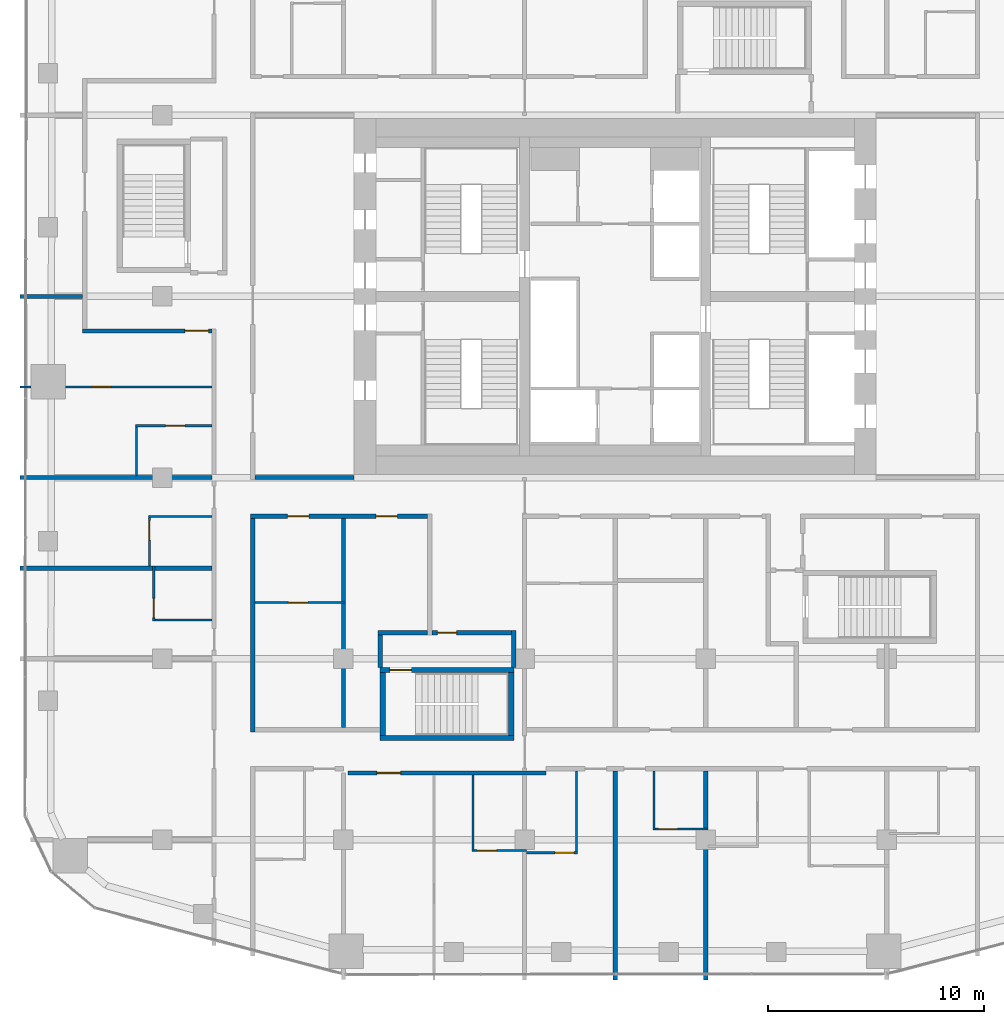
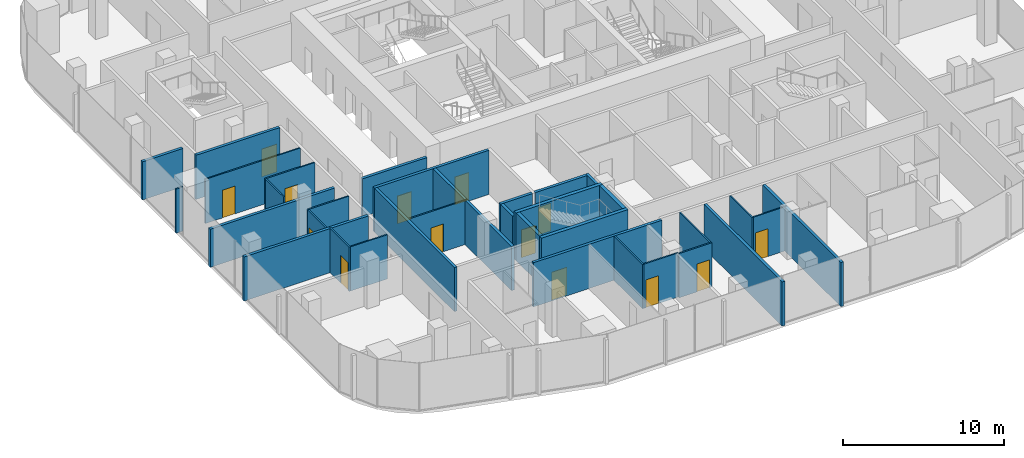
# One storey, part 14 of 23: 34 walls, 14 doors, 14 openings.
"""IFC4 building model written with IfcOpenShell, lengths in metres."""

import ifcopenshell
import ifcopenshell.guid

model = None  # the IFC model being written
_history = None  # IfcOwnerHistory: only IFC2X3 demands one
_inside = {}  # id of a spatial element -> (the spatial element, [elements in it])
_under = {}  # id of a project, library or spatial element -> (it, [spatial elements below it])
_declared = {}  # id of a project -> (the project, [libraries it declares])
_typed = {}  # id of a type object -> (the type object, [elements of that type])
_made_of = {}  # id of a material, layer set ... -> (it, [elements and type objects made of it])


def new_model(schema):
    """Start an empty IFC model of exactly this schema.

    Asked for "IFC4X3", IfcOpenShell would pick the latest addendum, in which some entities
    have other attributes; the version numbers below select the first issue.
    IFC2X3 requires an IfcOwnerHistory on every rooted entity: one is made here for all.
    """
    global model, _history
    if schema == "IFC4X3":
        model = ifcopenshell.file(schema_version=(4, 3, 0, 0))
    else:
        model = ifcopenshell.file(schema=schema)
    _inside.clear()
    _under.clear()
    _declared.clear()
    _typed.clear()
    _made_of.clear()
    _history = None
    if model.schema == "IFC2X3":
        org = make("IfcOrganization", Name="unknown")
        user = make(
            "IfcPersonAndOrganization",
            ThePerson=make("IfcPerson", FamilyName="unknown"),
            TheOrganization=org,
        )
        app = make(
            "IfcApplication",
            ApplicationDeveloper=org,
            Version="unknown",
            ApplicationFullName="unknown",
            ApplicationIdentifier="unknown",
        )
        _history = make(
            "IfcOwnerHistory",
            OwningUser=user,
            OwningApplication=app,
            ChangeAction="ADDED",
            CreationDate=0,
        )
    return model


def make(cls, **values):
    """One entity of the class cls with the attributes given. An attribute that is None is left unset."""
    return model.create_entity(
        cls, **{name: value for name, value in values.items() if value is not None}
    )


def rooted(cls, **values):
    """An entity with a GlobalId (a new one), such as an element, a storey or a relation."""
    return make(cls, GlobalId=ifcopenshell.guid.new(), OwnerHistory=_history, **values)


def si_unit(unit_type, name, prefix=None):
    """IfcSIUnit, for example si_unit("LENGTHUNIT", "METRE", prefix="MILLI")."""
    return make("IfcSIUnit", UnitType=unit_type, Prefix=prefix, Name=name)


def assignment(units):
    """IfcUnitAssignment: the units of a project."""
    return None if units is None else make("IfcUnitAssignment", Units=units)


def point(xyz):
    """IfcCartesianPoint."""
    return None if xyz is None else make("IfcCartesianPoint", Coordinates=xyz)


def direction(xyz):
    """IfcDirection."""
    return None if xyz is None else make("IfcDirection", DirectionRatios=xyz)


def frame(location, z_axis=None, x_axis=None):
    """IfcAxis2Placement3D, a coordinate frame: its origin and axes. An axis left out is left unset."""
    return make(
        "IfcAxis2Placement3D",
        Location=point(location),
        Axis=direction(z_axis),
        RefDirection=direction(x_axis),
    )


def frame_2d(location, x_axis=None):
    """IfcAxis2Placement2D, a coordinate frame in the plane: its origin and x axis."""
    return make(
        "IfcAxis2Placement2D", Location=point(location), RefDirection=direction(x_axis)
    )


def origin():
    """The frame at (0, 0, 0) with its axes left unset."""
    return frame((0.0, 0.0, 0.0))


def place(relative_to, where):
    """IfcLocalPlacement: puts the frame where relative to a parent placement (None: the world)."""
    return make(
        "IfcLocalPlacement", PlacementRelTo=relative_to, RelativePlacement=where
    )


def context(
    kind, dimensions, precision=None, world=None, true_north=None, identifier=None
):
    """IfcGeometricRepresentationContext, for example the 3D "Model" context."""
    return make(
        "IfcGeometricRepresentationContext",
        ContextIdentifier=identifier,
        ContextType=kind,
        CoordinateSpaceDimension=dimensions,
        Precision=precision,
        WorldCoordinateSystem=world,
        TrueNorth=true_north,
    )


def subcontext(parent, identifier, kind, view, scale=None):
    """IfcGeometricRepresentationSubContext, for example "Body" below "Model"."""
    return make(
        "IfcGeometricRepresentationSubContext",
        ContextIdentifier=identifier,
        ContextType=kind,
        ParentContext=parent,
        TargetScale=scale,
        TargetView=view,
    )


def project(units=None, contexts=None):
    """IfcProject with its units and contexts."""
    return rooted(
        "IfcProject",
        Name="project",
        RepresentationContexts=contexts,
        UnitsInContext=assignment(units),
    )


def spatial(cls, under=None, at=None, **own):
    """A site, building, storey or space (cls), placed at a placement, below another one or the project."""
    s = rooted(cls, ObjectPlacement=at, **own)
    if under is not None:
        _under.setdefault(under.id(), (under, []))[1].append(s)
    return s


def profile(cls, at=None, kind="AREA", **sizes):
    """A parametric profile (cls). Its sizes go by their IFC names, for example OverallWidth=200.0."""
    return make(cls, ProfileType=kind, Position=at, **sizes)


def rectangle(**sizes):
    """IfcRectangleProfileDef."""
    return profile("IfcRectangleProfileDef", **sizes)


def extrude(swept, where, along, depth):
    """IfcExtrudedAreaSolid: the profile swept, set in the frame where, extruded along a direction by depth."""
    return make(
        "IfcExtrudedAreaSolid",
        SweptArea=swept,
        Position=where,
        ExtrudedDirection=direction(along),
        Depth=depth,
    )


def shape(context_of_items, identifier, shape_type, items):
    """IfcShapeRepresentation: the items that make up one representation, for example the "Body"."""
    return make(
        "IfcShapeRepresentation",
        ContextOfItems=context_of_items,
        RepresentationIdentifier=identifier,
        RepresentationType=shape_type,
        Items=items,
    )


def material(Name=None, Category=None):
    """IfcMaterial."""
    return make("IfcMaterial", Name=Name, Category=Category)


def layer(
    of_material, thickness, ventilated=None, Name=None, Category=None, Priority=None
):
    """IfcMaterialLayer: one layer of a wall or slab, of a material (None: an air gap)."""
    return make(
        "IfcMaterialLayer",
        Material=of_material,
        LayerThickness=thickness,
        IsVentilated=ventilated,
        Name=Name,
        Category=Category,
        Priority=Priority,
    )


def layer_set(layers, Name=None):
    """IfcMaterialLayerSet."""
    return make("IfcMaterialLayerSet", MaterialLayers=layers, LayerSetName=Name)


def made_of(thing, what):
    """Note that an element or type object is made of a material, layer set ...; save() writes the relation."""
    if what is not None:
        _made_of.setdefault(what.id(), (what, []))[1].append(thing)
    return thing


def type_object(cls, material=None, **own):
    """A type object (cls), such as IfcWallType, which elements share."""
    return made_of(rooted(cls, **own), material)


def element(
    cls,
    number,
    at=None,
    inside=None,
    cuts=None,
    type_object=None,
    material=None,
    context=None,
    identifier="Body",
    shape_type=None,
    held_by="IfcProductDefinitionShape",
    body=None,
    shapes=None,
    **own,
):
    """One element of the class cls, such as IfcWall. Its Tag is "e" and its number.

    at: its placement. inside: the storey or other place that contains it. cuts: it is an
    opening in that element (IfcRelVoidsElement). A single representation is given by context,
    identifier, shape_type and body (its items); several are given by shapes. held_by: the class
    of the entity that holds the representations. save() writes the other relations.
    """
    e = rooted(cls, Tag="e%d" % number, ObjectPlacement=at, **own)
    if body is not None:
        shapes = [shape(context, identifier, shape_type, body)]
    if shapes is not None:
        e.Representation = make(held_by, Representations=shapes)
    if inside is not None:
        _inside.setdefault(inside.id(), (inside, []))[1].append(e)
    if cuts is not None:
        rooted(
            "IfcRelVoidsElement", RelatingBuildingElement=cuts, RelatedOpeningElement=e
        )
    if type_object is not None:
        _typed.setdefault(type_object.id(), (type_object, []))[1].append(e)
    return made_of(e, material)


def fill(opening, filler):
    """IfcRelFillsElement: the door or window that sits in an opening."""
    return rooted(
        "IfcRelFillsElement",
        RelatingOpeningElement=opening,
        RelatedBuildingElement=filler,
    )


def aggregate(whole, parts):
    """IfcRelAggregates: a whole, such as a stair, and the parts it consists of."""
    return rooted("IfcRelAggregates", RelatingObject=whole, RelatedObjects=parts)


def save(model, path):
    """Write the relations noted so far, then the file.

    IfcRelAggregates (storeys below a building ...), IfcRelContainedInSpatialStructure (elements
    in a storey), IfcRelDefinesByType, IfcRelAssociatesMaterial and IfcRelDeclares: one each for
    every whole, place, type object, material and project.
    """
    for whole, parts in _under.values():
        aggregate(whole, parts)
    for where, things in _inside.values():
        rooted(
            "IfcRelContainedInSpatialStructure",
            RelatedElements=things,
            RelatingStructure=where,
        )
    for kind, things in _typed.values():
        rooted("IfcRelDefinesByType", RelatedObjects=things, RelatingType=kind)
    for what, things in _made_of.values():
        rooted("IfcRelAssociatesMaterial", RelatedObjects=things, RelatingMaterial=what)
    for by, libraries in _declared.values():
        rooted("IfcRelDeclares", RelatingContext=by, RelatedDefinitions=libraries)
    model.write(path)


model = new_model("IFC4")

# Units and contexts
model_context = context("Model", 3, precision=1e-05, world=origin(), true_north=direction((0.0, 1.0)))
body_context = subcontext(model_context, "Body", "Model", "MODEL_VIEW")
ifc_project = project(units=[si_unit("LENGTHUNIT", "METRE"), si_unit("AREAUNIT", "SQUARE_METRE"), si_unit("VOLUMEUNIT", "CUBIC_METRE"), si_unit("PLANEANGLEUNIT", "RADIAN"), si_unit("MASSUNIT", "GRAM", prefix="KILO")], contexts=[model_context])

# Site, building, storey
site_placement = place(None, origin())
site = spatial("IfcSite", under=ifc_project, at=site_placement, CompositionType="ELEMENT")
building_placement = place(site_placement, origin())
building = spatial("IfcBuilding", under=site, at=building_placement, Name="Marenta Gate Hotel Tower", CompositionType="ELEMENT")
storey_placement = place(building_placement, frame((0.0, 0.0, 162.5)))
storey = spatial("IfcBuildingStorey", under=building, at=storey_placement, Name="L38", CompositionType="ELEMENT", Elevation=162.5)

# Walls
ifc_material_1 = material(Name="Concrete blockwork", Category="masonry")
ifc_layer_1 = layer(ifc_material_1, 0.199951171875)
ifc_layer_set_1 = layer_set([ifc_layer_1], Name="Concrete blockwork")
wall_type_1 = type_object("IfcWallType", Name="Core boundary wall 200 REI 180", PredefinedType="PARTITIONING", material=ifc_layer_set_1)
wall_1_placement = place(storey_placement, frame((-16.699951171875, 0.0, 0.0), z_axis=(0.0, 0.0, 1.0), x_axis=(1.0, 0.0, 0.0)))
element("IfcWall", 1, at=wall_1_placement, inside=storey, type_object=wall_type_1, Name="L38-CP-EW-WS", PredefinedType="PARTITIONING", context=body_context, shape_type="SweptSolid", body=[
    extrude(rectangle(XDim=4.599853515625, YDim=0.199951171875, at=frame_2d((2.2998046875, 0.0))), origin(), (0.0, 0.0, 1.0), 2.889892578125),
])
ifc_material_2 = material(Name="Concrete C40", Category="concrete")
ifc_layer_2 = layer(ifc_material_2, 0.25)
ifc_layer_set_2 = layer_set([ifc_layer_2], Name="Concrete C40")
wall_type_2 = type_object("IfcWallType", Name="Remote stair enclosure wall 250 REI 180", PredefinedType="SHEAR", material=ifc_layer_set_2)
wall_2_placement = place(storey_placement, frame((-10.89990234375, -12.074951171875, 0.10009765625), z_axis=(0.0, 0.0, 1.0), x_axis=(1.0, 0.0, 0.0)))
element("IfcWall", 2, at=wall_2_placement, inside=storey, type_object=wall_type_2, Name="L38-RS-Z2-1-W1", PredefinedType="SHEAR", context=body_context, shape_type="SweptSolid", body=[
    extrude(rectangle(XDim=6.199951171875, YDim=0.25, at=frame_2d((3.10009765625, 0.0))), origin(), (0.0, 0.0, 1.0), 3.599853515625),
])

# Wall, opening, door
wall_3_placement = place(storey_placement, frame((-10.89990234375, -8.925048828125, 0.10009765625), z_axis=(0.0, 0.0, 1.0), x_axis=(1.0, 0.0, 0.0)))
wall_3 = element("IfcWall", 3, at=wall_3_placement, inside=storey, type_object=wall_type_2, Name="L38-RS-Z2-1-W2", PredefinedType="SHEAR", context=body_context, shape_type="SweptSolid", body=[
    extrude(rectangle(XDim=6.199951171875, YDim=0.25, at=frame_2d((3.10009765625, 0.0))), origin(), (0.0, 0.0, 1.0), 3.599853515625),
])
opening_1_placement = place(wall_3_placement, frame((0.449951171875, 0.0, 0.0)))
opening_1 = element("IfcOpeningElement", 4, at=opening_1_placement, cuts=wall_3, Name="Opening VD", PredefinedType="OPENING", context=body_context, shape_type="SweptSolid", body=[
    extrude(rectangle(XDim=1.0, YDim=2.10009765625, at=frame_2d((0.5, 1.050048828125))), frame((0.0, 0.125, 0.0), z_axis=(0.0, -1.0, 0.0), x_axis=(1.0, 0.0, 0.0)), (0.0, 0.0, 1.0), 0.25),
])
ifc_material_3 = material(Name="Steel", Category="steel")
door_type_1 = type_object("IfcDoorType", Name="Stair vestibule door 1000x2100 FD60", OperationType="SINGLE_SWING_LEFT", PredefinedType="DOOR", material=ifc_material_3)
door_1_placement = place(opening_1_placement, origin())
door_1 = element("IfcDoor", 5, at=door_1_placement, inside=storey, type_object=door_type_1, Name="VD", OperationType="SINGLE_SWING_LEFT", OverallHeight=2.10009765625, OverallWidth=1.0, PredefinedType="DOOR", context=body_context, shape_type="SweptSolid", body=[
    extrude(rectangle(XDim=1.0, YDim=2.10009765625, at=frame_2d((0.5, 1.050048828125))), frame((0.0, 0.02490234375, 0.0), z_axis=(0.0, -1.0, 0.0), x_axis=(1.0, 0.0, 0.0)), (0.0, 0.0, 1.0), 0.050048828125),
])
fill(opening_1, door_1)

# Walls
for number, where, z_axis, x_axis, name in (
    (6, (-10.77490234375, -11.949951171875, 0.10009765625), (0.0, 0.0, 1.0), (0.0, 1.0, 0.0), "L38-RS-Z2-1-W3"),
    (7, (-4.824951171875, -11.949951171875, 0.10009765625), (0.0, 0.0, 1.0), (0.0, 1.0, 0.0), "L38-RS-Z2-1-W4"),
):
    element("IfcWall", number, at=place(storey_placement, frame(where, z_axis=z_axis, x_axis=x_axis)), inside=storey, type_object=wall_type_2, Name=name, PredefinedType="SHEAR", context=body_context, shape_type="SweptSolid", body=[
        extrude(rectangle(XDim=2.89990234375, YDim=0.25, at=frame_2d((1.449951171875, 0.0))), origin(), (0.0, 0.0, 1.0), 3.599853515625),
    ])

# Wall, opening, door
ifc_material_4 = material(Name="Gypsum board on steel stud", Category="steel")
ifc_layer_3 = layer(ifc_material_4, 0.199951171875)
ifc_layer_set_3 = layer_set([ifc_layer_3], Name="Gypsum board on steel stud")
wall_type_3 = type_object("IfcWallType", Name="Room corridor wall 200 EI 60", PredefinedType="PARTITIONING", material=ifc_layer_set_3)
wall_4_placement = place(storey_placement, frame((-12.39990234375, -13.699951171875, 0.0), z_axis=(0.0, 0.0, 1.0), x_axis=(1.0, 0.0, 0.0)))
wall_4 = element("IfcWall", 8, at=wall_4_placement, inside=storey, type_object=wall_type_3, Name="L38-PTN-W025", PredefinedType="PARTITIONING", context=body_context, shape_type="SweptSolid", body=[
    extrude(rectangle(XDim=9.199951171875, YDim=0.199951171875, at=frame_2d((4.60009765625, 0.0))), origin(), (0.0, 0.0, 1.0), 3.340087890625),
])
opening_2_placement = place(wall_4_placement, frame((1.35009765625, 0.0, 0.0)))
opening_2 = element("IfcOpeningElement", 9, at=opening_2_placement, cuts=wall_4, Name="Opening G14-32", PredefinedType="OPENING", context=body_context, shape_type="SweptSolid", body=[
    extrude(rectangle(XDim=1.10009765625, YDim=2.10009765625, at=frame_2d((0.550048828125, 1.050048828125))), frame((0.0, 0.10009765625, 0.0), z_axis=(0.0, -1.0, 0.0), x_axis=(1.0, 0.0, 0.0)), (0.0, 0.0, 1.0), 0.199951171875),
])
ifc_material_5 = material(Name="Timber door leaf", Category="wood")
door_type_2 = type_object("IfcDoorType", Name="Guest room door 1100x2100 EI 30", OperationType="NOTDEFINED", PredefinedType="DOOR", material=ifc_material_5)
door_2_placement = place(opening_2_placement, origin())
door_2 = element("IfcDoor", 10, at=door_2_placement, inside=storey, type_object=door_type_2, Name="L38-PD-D032", OperationType="SINGLE_SWING_RIGHT", OverallHeight=2.10009765625, OverallWidth=1.10009765625, PredefinedType="DOOR", context=body_context, shape_type="SweptSolid", body=[
    extrude(rectangle(XDim=1.10009765625, YDim=2.10009765625, at=frame_2d((0.550048828125, 1.050048828125))), frame((0.0, 0.02490234375, 0.0), z_axis=(0.0, -1.0, 0.0), x_axis=(1.0, 0.0, 0.0)), (0.0, 0.0, 1.0), 0.050048828125),
])
fill(opening_2, door_2)

# Wall, openings, doors
wall_5_placement = place(storey_placement, frame((-16.89990234375, -1.800048828125, 0.0), z_axis=(0.0, 0.0, 1.0), x_axis=(1.0, 0.0, 0.0)))
wall_5 = element("IfcWall", 11, at=wall_5_placement, inside=storey, type_object=wall_type_3, Name="L38-PTN-W061", PredefinedType="PARTITIONING", context=body_context, shape_type="SweptSolid", body=[
    extrude(rectangle(XDim=8.199951171875, YDim=0.199951171875, at=frame_2d((4.10009765625, 0.0))), origin(), (0.0, 0.0, 1.0), 3.340087890625),
])
opening_3_placement = place(wall_5_placement, frame((1.699951171875, 0.0, 0.0)))
opening_3 = element("IfcOpeningElement", 12, at=opening_3_placement, cuts=wall_5, Name="Opening G14-01", PredefinedType="OPENING", context=body_context, shape_type="SweptSolid", body=[
    extrude(rectangle(XDim=1.0, YDim=2.10009765625, at=frame_2d((0.5, 1.050048828125))), frame((0.0, 0.10009765625, 0.0), z_axis=(0.0, -1.0, 0.0), x_axis=(1.0, 0.0, 0.0)), (0.0, 0.0, 1.0), 0.199951171875),
])
opening_4_placement = place(wall_5_placement, frame((5.800048828125, 0.0, 0.0)))
opening_4 = element("IfcOpeningElement", 13, at=opening_4_placement, cuts=wall_5, Name="Opening G14-03", PredefinedType="OPENING", context=body_context, shape_type="SweptSolid", body=[
    extrude(rectangle(XDim=1.0, YDim=2.10009765625, at=frame_2d((0.5, 1.050048828125))), frame((0.0, 0.10009765625, 0.0), z_axis=(0.0, -1.0, 0.0), x_axis=(1.0, 0.0, 0.0)), (0.0, 0.0, 1.0), 0.199951171875),
])
ifc_material_6 = material(Name="Timber door leaf", Category="wood")
door_type_3 = type_object("IfcDoorType", Name="Room amenity door 1000x2100 EI 30", OperationType="NOTDEFINED", PredefinedType="DOOR", material=ifc_material_6)
door_3_placement = place(opening_4_placement, origin())
door_3 = element("IfcDoor", 14, at=door_3_placement, inside=storey, type_object=door_type_3, Name="L38-PD-D003", OperationType="SINGLE_SWING_LEFT", OverallHeight=2.10009765625, OverallWidth=1.0, PredefinedType="DOOR", context=body_context, shape_type="SweptSolid", body=[
    extrude(rectangle(XDim=1.0, YDim=2.10009765625, at=frame_2d((0.5, 1.050048828125))), frame((0.0, 0.02490234375, 0.0), z_axis=(0.0, -1.0, 0.0), x_axis=(1.0, 0.0, 0.0)), (0.0, 0.0, 1.0), 0.050048828125),
])
fill(opening_4, door_3)
ifc_material_7 = material(Name="Hollow steel door set", Category="steel")
door_type_4 = type_object("IfcDoorType", Name="Room service door 1000x2100 EI 30", OperationType="NOTDEFINED", PredefinedType="DOOR", material=ifc_material_7)
door_4_placement = place(opening_3_placement, origin())
door_4 = element("IfcDoor", 15, at=door_4_placement, inside=storey, type_object=door_type_4, Name="L38-PD-D001", OperationType="SINGLE_SWING_LEFT", OverallHeight=2.10009765625, OverallWidth=1.0, PredefinedType="DOOR", context=body_context, shape_type="SweptSolid", body=[
    extrude(rectangle(XDim=1.0, YDim=2.10009765625, at=frame_2d((0.5, 1.050048828125))), frame((0.0, 0.02490234375, 0.0), z_axis=(0.0, -1.0, 0.0), x_axis=(1.0, 0.0, 0.0)), (0.0, 0.0, 1.0), 0.050048828125),
])
fill(opening_3, door_4)

# Wall, opening, door
wall_6_placement = place(storey_placement, frame((-24.699951171875, 6.800048828125, 0.0), z_axis=(0.0, 0.0, 1.0), x_axis=(1.0, 0.0, 0.0)))
wall_6 = element("IfcWall", 16, at=wall_6_placement, inside=storey, type_object=wall_type_3, Name="L38-PTN-W079", PredefinedType="PARTITIONING", context=body_context, shape_type="SweptSolid", body=[
    extrude(rectangle(XDim=6.0, YDim=0.199951171875, at=frame_2d((3.0, 0.0))), origin(), (0.0, 0.0, 1.0), 3.340087890625),
])
opening_5_placement = place(wall_6_placement, frame((4.75, 0.0, 0.0)))
opening_5 = element("IfcOpeningElement", 17, at=opening_5_placement, cuts=wall_6, Name="Opening G14-50", PredefinedType="OPENING", context=body_context, shape_type="SweptSolid", body=[
    extrude(rectangle(XDim=1.10009765625, YDim=2.10009765625, at=frame_2d((0.550048828125, 1.050048828125))), frame((0.0, 0.10009765625, 0.0), z_axis=(0.0, -1.0, 0.0), x_axis=(1.0, 0.0, 0.0)), (0.0, 0.0, 1.0), 0.199951171875),
])
door_5_placement = place(opening_5_placement, origin())
door_5 = element("IfcDoor", 18, at=door_5_placement, inside=storey, type_object=door_type_2, Name="L38-PD-D050", OperationType="SINGLE_SWING_LEFT", OverallHeight=2.10009765625, OverallWidth=1.10009765625, PredefinedType="DOOR", context=body_context, shape_type="SweptSolid", body=[
    extrude(rectangle(XDim=1.10009765625, YDim=2.10009765625, at=frame_2d((0.550048828125, 1.050048828125))), frame((0.0, 0.02490234375, 0.0), z_axis=(0.0, -1.0, 0.0), x_axis=(1.0, 0.0, 0.0)), (0.0, 0.0, 1.0), 0.050048828125),
])
fill(opening_5, door_5)

# Wall
wall_7_placement = place(storey_placement, frame((-16.800048828125, -11.800048828125, 0.0), z_axis=(0.0, 0.0, 1.0), x_axis=(0.0, 1.0, 0.0)))
element("IfcWall", 19, at=wall_7_placement, inside=storey, type_object=wall_type_3, Name="L38-PTN-W097", PredefinedType="PARTITIONING", context=body_context, shape_type="SweptSolid", body=[
    extrude(rectangle(XDim=9.900146484375, YDim=0.199951171875, at=frame_2d((4.9501953125, 0.0))), origin(), (0.0, 0.0, 1.0), 3.340087890625),
])

# Wall, opening, door
ifc_material_8 = material(Name="Concrete blockwork", Category="masonry")
ifc_layer_4 = layer(ifc_material_8, 0.199951171875)
ifc_layer_set_4 = layer_set([ifc_layer_4], Name="Concrete blockwork")
wall_type_4 = type_object("IfcWallType", Name="Room corridor wall 200 REI 180", PredefinedType="PARTITIONING", material=ifc_layer_set_4)
wall_8_placement = place(storey_placement, frame((-8.5, -7.199951171875, 0.0), z_axis=(0.0, 0.0, 1.0), x_axis=(1.0, 0.0, 0.0)))
wall_8 = element("IfcWall", 20, at=wall_8_placement, inside=storey, type_object=wall_type_4, Name="L38-PTN-W045", PredefinedType="PARTITIONING", context=body_context, shape_type="SweptSolid", body=[
    extrude(rectangle(XDim=3.699951171875, YDim=0.199951171875, at=frame_2d((1.85009765625, 0.0))), origin(), (0.0, 0.0, 1.0), 3.340087890625),
])
opening_6_placement = place(wall_8_placement, frame((0.25, 0.0, 0.0)))
opening_6 = element("IfcOpeningElement", 21, at=opening_6_placement, cuts=wall_8, Name="Opening G14-56", PredefinedType="OPENING", context=body_context, shape_type="SweptSolid", body=[
    extrude(rectangle(XDim=0.89990234375, YDim=2.10009765625, at=frame_2d((0.449951171875, 1.050048828125))), frame((0.0, 0.10009765625, 0.0), z_axis=(0.0, -1.0, 0.0), x_axis=(1.0, 0.0, 0.0)), (0.0, 0.0, 1.0), 0.199951171875),
])
ifc_material_9 = material(Name="Hollow steel door set", Category="steel")
door_type_5 = type_object("IfcDoorType", Name="Stair vestibule door 900x2100 EI 60", OperationType="NOTDEFINED", PredefinedType="DOOR", material=ifc_material_9)
door_6_placement = place(opening_6_placement, origin())
door_6 = element("IfcDoor", 22, at=door_6_placement, inside=storey, type_object=door_type_5, Name="L38-PD-D056", OperationType="SINGLE_SWING_RIGHT", OverallHeight=2.10009765625, OverallWidth=0.89990234375, PredefinedType="DOOR", context=body_context, shape_type="SweptSolid", body=[
    extrude(rectangle(XDim=0.89990234375, YDim=2.10009765625, at=frame_2d((0.449951171875, 1.050048828125))), frame((0.0, 0.02490234375, 0.0), z_axis=(0.0, -1.0, 0.0), x_axis=(1.0, 0.0, 0.0)), (0.0, 0.0, 1.0), 0.050048828125),
])
fill(opening_6, door_6)

# Wall
wall_9_placement = place(storey_placement, frame((-4.699951171875, -8.800048828125, 0.0), z_axis=(0.0, 0.0, 1.0), x_axis=(0.0, 1.0, 0.0)))
element("IfcWall", 23, at=wall_9_placement, inside=storey, type_object=wall_type_4, Name="L38-PTN-W077", PredefinedType="PARTITIONING", context=body_context, shape_type="SweptSolid", body=[
    extrude(rectangle(XDim=1.699951171875, YDim=0.199951171875, at=frame_2d((0.85009765625, 0.0))), origin(), (0.0, 0.0, 1.0), 3.340087890625),
])

# Wall, opening, door
ifc_material_10 = material(Name="Gypsum board on steel stud", Category="steel")
ifc_layer_5 = layer(ifc_material_10, 0.10009765625)
ifc_layer_set_5 = layer_set([ifc_layer_5], Name="Gypsum board on steel stud")
wall_type_5 = type_object("IfcWallType", Name="Room partition 100", PredefinedType="PARTITIONING", material=ifc_layer_set_5)
wall_10_placement = place(storey_placement, frame((-4.10009765625, -17.39990234375, 0.0), z_axis=(0.0, 0.0, 1.0), x_axis=(1.0, 0.0, 0.0)))
wall_10 = element("IfcWall", 24, at=wall_10_placement, inside=storey, type_object=wall_type_5, Name="L38-PTN-W013", PredefinedType="PARTITIONING", context=body_context, shape_type="SweptSolid", body=[
    extrude(rectangle(XDim=2.35009765625, YDim=0.10009765625, at=frame_2d((1.175048828125, 0.0))), origin(), (0.0, 0.0, 1.0), 3.340087890625),
])
opening_7_placement = place(wall_10_placement, frame((1.300048828125, 0.0, 0.0)))
opening_7 = element("IfcOpeningElement", 25, at=opening_7_placement, cuts=wall_10, Name="Opening G14-36", PredefinedType="OPENING", context=body_context, shape_type="SweptSolid", body=[
    extrude(rectangle(XDim=0.89990234375, YDim=2.10009765625, at=frame_2d((0.449951171875, 1.050048828125))), frame((0.0, 0.050048828125, 0.0), z_axis=(0.0, -1.0, 0.0), x_axis=(1.0, 0.0, 0.0)), (0.0, 0.0, 1.0), 0.10009765625),
])
ifc_material_11 = material(Name="Timber door leaf", Category="wood")
door_type_6 = type_object("IfcDoorType", Name="Guest bathroom door 900x2100", OperationType="NOTDEFINED", PredefinedType="DOOR", material=ifc_material_11)
door_7_placement = place(opening_7_placement, origin())
door_7 = element("IfcDoor", 26, at=door_7_placement, inside=storey, type_object=door_type_6, Name="L38-PD-D036", OperationType="SINGLE_SWING_RIGHT", OverallHeight=2.10009765625, OverallWidth=0.89990234375, PredefinedType="DOOR", context=body_context, shape_type="SweptSolid", body=[
    extrude(rectangle(XDim=0.89990234375, YDim=2.10009765625, at=frame_2d((0.449951171875, 1.050048828125))), frame((0.0, 0.02490234375, 0.0), z_axis=(0.0, -1.0, 0.0), x_axis=(1.0, 0.0, 0.0)), (0.0, 0.0, 1.0), 0.050048828125),
])
fill(opening_7, door_7)

wall_11_placement = place(storey_placement, frame((-6.550048828125, -17.300048828125, 0.0), z_axis=(0.0, 0.0, 1.0), x_axis=(1.0, 0.0, 0.0)))
wall_11 = element("IfcWall", 27, at=wall_11_placement, inside=storey, type_object=wall_type_5, Name="L38-PTN-W014", PredefinedType="PARTITIONING", context=body_context, shape_type="SweptSolid", body=[
    extrude(rectangle(XDim=2.449951171875, YDim=0.10009765625, at=frame_2d((1.22509765625, 0.0))), origin(), (0.0, 0.0, 1.0), 3.340087890625),
])
opening_8_placement = place(wall_11_placement, frame((0.14990234375, 0.0, 0.0)))
opening_8 = element("IfcOpeningElement", 28, at=opening_8_placement, cuts=wall_11, Name="Opening G14-34", PredefinedType="OPENING", context=body_context, shape_type="SweptSolid", body=[
    extrude(rectangle(XDim=0.89990234375, YDim=2.10009765625, at=frame_2d((0.449951171875, 1.050048828125))), frame((0.0, 0.050048828125, 0.0), z_axis=(0.0, -1.0, 0.0), x_axis=(1.0, 0.0, 0.0)), (0.0, 0.0, 1.0), 0.10009765625),
])
door_8_placement = place(opening_8_placement, origin())
door_8 = element("IfcDoor", 29, at=door_8_placement, inside=storey, type_object=door_type_6, Name="L38-PD-D034", OperationType="SINGLE_SWING_LEFT", OverallHeight=2.10009765625, OverallWidth=0.89990234375, PredefinedType="DOOR", context=body_context, shape_type="SweptSolid", body=[
    extrude(rectangle(XDim=0.89990234375, YDim=2.10009765625, at=frame_2d((0.449951171875, 1.050048828125))), frame((0.0, 0.02490234375, 0.0), z_axis=(0.0, -1.0, 0.0), x_axis=(1.0, 0.0, 0.0)), (0.0, 0.0, 1.0), 0.050048828125),
])
fill(opening_8, door_8)

wall_12_placement = place(storey_placement, frame((1.85009765625, -16.300048828125, 0.0), z_axis=(0.0, 0.0, 1.0), x_axis=(1.0, 0.0, 0.0)))
wall_12 = element("IfcWall", 30, at=wall_12_placement, inside=storey, type_object=wall_type_5, Name="L38-PTN-W022", PredefinedType="PARTITIONING", context=body_context, shape_type="SweptSolid", body=[
    extrude(rectangle(XDim=2.449951171875, YDim=0.10009765625, at=frame_2d((1.22509765625, 0.0))), origin(), (0.0, 0.0, 1.0), 3.340087890625),
])
opening_9_placement = place(wall_12_placement, frame((0.14990234375, 0.0, 0.0)))
opening_9 = element("IfcOpeningElement", 31, at=opening_9_placement, cuts=wall_12, Name="Opening G14-38", PredefinedType="OPENING", context=body_context, shape_type="SweptSolid", body=[
    extrude(rectangle(XDim=0.89990234375, YDim=2.10009765625, at=frame_2d((0.449951171875, 1.050048828125))), frame((0.0, 0.050048828125, 0.0), z_axis=(0.0, -1.0, 0.0), x_axis=(1.0, 0.0, 0.0)), (0.0, 0.0, 1.0), 0.10009765625),
])
door_9_placement = place(opening_9_placement, origin())
door_9 = element("IfcDoor", 32, at=door_9_placement, inside=storey, type_object=door_type_6, Name="L38-PD-D038", OperationType="SINGLE_SWING_LEFT", OverallHeight=2.10009765625, OverallWidth=0.89990234375, PredefinedType="DOOR", context=body_context, shape_type="SweptSolid", body=[
    extrude(rectangle(XDim=0.89990234375, YDim=2.10009765625, at=frame_2d((0.449951171875, 1.050048828125))), frame((0.0, 0.02490234375, 0.0), z_axis=(0.0, -1.0, 0.0), x_axis=(1.0, 0.0, 0.0)), (0.0, 0.0, 1.0), 0.050048828125),
])
fill(opening_9, door_9)

# Wall
wall_13_placement = place(storey_placement, frame((-21.35009765625, -6.60009765625, 0.0), z_axis=(0.0, 0.0, 1.0), x_axis=(1.0, 0.0, 0.0)))
element("IfcWall", 33, at=wall_13_placement, inside=storey, type_object=wall_type_5, Name="L38-PTN-W049", PredefinedType="PARTITIONING", context=body_context, shape_type="SweptSolid", body=[
    extrude(rectangle(XDim=2.650146484375, YDim=0.10009765625, at=frame_2d((1.3251953125, 0.0))), origin(), (0.0, 0.0, 1.0), 3.340087890625),
])

# Wall, opening, door
wall_14_placement = place(storey_placement, frame((-16.699951171875, -5.800048828125, 0.0), z_axis=(0.0, 0.0, 1.0), x_axis=(1.0, 0.0, 0.0)))
wall_14 = element("IfcWall", 34, at=wall_14_placement, inside=storey, type_object=wall_type_5, Name="L38-PTN-W050", PredefinedType="PARTITIONING", context=body_context, shape_type="SweptSolid", body=[
    extrude(rectangle(XDim=4.199951171875, YDim=0.10009765625, at=frame_2d((2.10009765625, 0.0))), origin(), (0.0, 0.0, 1.0), 3.340087890625),
])
opening_10_placement = place(wall_14_placement, frame((1.550048828125, 0.0, 0.0)))
opening_10 = element("IfcOpeningElement", 35, at=opening_10_placement, cuts=wall_14, Name="Opening G14-02", PredefinedType="OPENING", context=body_context, shape_type="SweptSolid", body=[
    extrude(rectangle(XDim=0.89990234375, YDim=2.10009765625, at=frame_2d((0.449951171875, 1.050048828125))), frame((0.0, 0.050048828125, 0.0), z_axis=(0.0, -1.0, 0.0), x_axis=(1.0, 0.0, 0.0)), (0.0, 0.0, 1.0), 0.10009765625),
])
ifc_material_12 = material(Name="Timber door leaf", Category="wood")
door_type_7 = type_object("IfcDoorType", Name="Room inner door 900x2100", OperationType="NOTDEFINED", PredefinedType="DOOR", material=ifc_material_12)
door_10_placement = place(opening_10_placement, origin())
door_10 = element("IfcDoor", 36, at=door_10_placement, inside=storey, type_object=door_type_7, Name="L38-PD-D002", OperationType="SINGLE_SWING_RIGHT", OverallHeight=2.10009765625, OverallWidth=0.89990234375, PredefinedType="DOOR", context=body_context, shape_type="SweptSolid", body=[
    extrude(rectangle(XDim=0.89990234375, YDim=2.10009765625, at=frame_2d((0.449951171875, 1.050048828125))), frame((0.0, 0.02490234375, 0.0), z_axis=(0.0, -1.0, 0.0), x_axis=(1.0, 0.0, 0.0)), (0.0, 0.0, 1.0), 0.050048828125),
])
fill(opening_10, door_10)

# Walls
wall_15_placement = place(storey_placement, frame((1.800048828125, -16.35009765625, 0.0), z_axis=(0.0, 0.0, 1.0), x_axis=(0.0, 1.0, 0.0)))
element("IfcWall", 37, at=wall_15_placement, inside=storey, type_object=wall_type_5, Name="L38-PTN-W059", PredefinedType="PARTITIONING", context=body_context, shape_type="SweptSolid", body=[
    extrude(rectangle(XDim=2.75, YDim=0.10009765625, at=frame_2d((1.375, 0.0))), origin(), (0.0, 0.0, 1.0), 3.340087890625),
])
wall_16_placement = place(storey_placement, frame((-21.64990234375, -1.800048828125, 0.0), z_axis=(0.0, 0.0, 1.0), x_axis=(1.0, 0.0, 0.0)))
element("IfcWall", 38, at=wall_16_placement, inside=storey, type_object=wall_type_5, Name="L38-PTN-W060", PredefinedType="PARTITIONING", context=body_context, shape_type="SweptSolid", body=[
    extrude(rectangle(XDim=2.949951171875, YDim=0.10009765625, at=frame_2d((1.47509765625, 0.0))), origin(), (0.0, 0.0, 1.0), 3.340087890625),
])
wall_17_placement = place(storey_placement, frame((-1.800048828125, -17.35009765625, 0.0), z_axis=(0.0, 0.0, 1.0), x_axis=(0.0, 1.0, 0.0)))
element("IfcWall", 39, at=wall_17_placement, inside=storey, type_object=wall_type_5, Name="L38-PTN-W069", PredefinedType="PARTITIONING", context=body_context, shape_type="SweptSolid", body=[
    extrude(rectangle(XDim=3.75, YDim=0.10009765625, at=frame_2d((1.875, 0.0))), origin(), (0.0, 0.0, 1.0), 3.340087890625),
])

# Wall, opening, door
wall_18_placement = place(storey_placement, frame((-22.25, 2.39990234375, 0.0), z_axis=(0.0, 0.0, 1.0), x_axis=(1.0, 0.0, 0.0)))
wall_18 = element("IfcWall", 40, at=wall_18_placement, inside=storey, type_object=wall_type_5, Name="L38-PTN-W070", PredefinedType="PARTITIONING", context=body_context, shape_type="SweptSolid", body=[
    extrude(rectangle(XDim=3.550048828125, YDim=0.10009765625, at=frame_2d((1.77490234375, 0.0))), origin(), (0.0, 0.0, 1.0), 3.340087890625),
])
opening_11_placement = place(wall_18_placement, frame((1.39990234375, 0.0, 0.0)))
opening_11 = element("IfcOpeningElement", 41, at=opening_11_placement, cuts=wall_18, Name="Opening G14-52", PredefinedType="OPENING", context=body_context, shape_type="SweptSolid", body=[
    extrude(rectangle(XDim=0.89990234375, YDim=2.10009765625, at=frame_2d((0.449951171875, 1.050048828125))), frame((0.0, 0.050048828125, 0.0), z_axis=(0.0, -1.0, 0.0), x_axis=(1.0, 0.0, 0.0)), (0.0, 0.0, 1.0), 0.10009765625),
])
door_11_placement = place(opening_11_placement, origin())
door_11 = element("IfcDoor", 42, at=door_11_placement, inside=storey, type_object=door_type_6, Name="L38-PD-D052", OperationType="SINGLE_SWING_LEFT", OverallHeight=2.10009765625, OverallWidth=0.89990234375, PredefinedType="DOOR", context=body_context, shape_type="SweptSolid", body=[
    extrude(rectangle(XDim=0.89990234375, YDim=2.10009765625, at=frame_2d((0.449951171875, 1.050048828125))), frame((0.0, 0.02490234375, 0.0), z_axis=(0.0, -1.0, 0.0), x_axis=(1.0, 0.0, 0.0)), (0.0, 0.0, 1.0), 0.050048828125),
])
fill(opening_11, door_11)

# Wall
wall_19_placement = place(storey_placement, frame((-27.60009765625, 4.199951171875, 0.0), z_axis=(0.0, 0.0, 1.0), x_axis=(1.0, 0.0, 0.0)))
element("IfcWall", 43, at=wall_19_placement, inside=storey, type_object=wall_type_5, Name="L38-PTN-W075", PredefinedType="PARTITIONING", context=body_context, shape_type="SweptSolid", body=[
    extrude(rectangle(XDim=0.5, YDim=0.10009765625, at=frame_2d((0.25, 0.0))), origin(), (0.0, 0.0, 1.0), 3.340087890625),
])

# Wall, opening, door
wall_20_placement = place(storey_placement, frame((-25.5, 4.199951171875, 0.0), z_axis=(0.0, 0.0, 1.0), x_axis=(1.0, 0.0, 0.0)))
wall_20 = element("IfcWall", 44, at=wall_20_placement, inside=storey, type_object=wall_type_5, Name="L38-PTN-W121", PredefinedType="PARTITIONING", context=body_context, shape_type="SweptSolid", body=[
    extrude(rectangle(XDim=6.800048828125, YDim=0.10009765625, at=frame_2d((3.39990234375, 0.0))), origin(), (0.0, 0.0, 1.0), 3.340087890625),
])
opening_12_placement = place(wall_20_placement, frame((1.22998046875, 0.0, 0.0)))
opening_12 = element("IfcOpeningElement", 45, at=opening_12_placement, cuts=wall_20, Name="Opening G14-51", PredefinedType="OPENING", context=body_context, shape_type="SweptSolid", body=[
    extrude(rectangle(XDim=0.89990234375, YDim=2.10009765625, at=frame_2d((0.449951171875, 1.050048828125))), frame((0.0, 0.050048828125, 0.0), z_axis=(0.0, -1.0, 0.0), x_axis=(1.0, 0.0, 0.0)), (0.0, 0.0, 1.0), 0.10009765625),
])
door_12_placement = place(opening_12_placement, origin())
door_12 = element("IfcDoor", 46, at=door_12_placement, inside=storey, type_object=door_type_7, Name="L38-PD-D051", OperationType="SINGLE_SWING_RIGHT", OverallHeight=2.10009765625, OverallWidth=0.89990234375, PredefinedType="DOOR", context=body_context, shape_type="SweptSolid", body=[
    extrude(rectangle(XDim=0.89990234375, YDim=2.10009765625, at=frame_2d((0.449951171875, 1.050048828125))), frame((0.0, 0.02490234375, 0.0), z_axis=(0.0, -1.0, 0.0), x_axis=(1.0, 0.0, 0.0)), (0.0, 0.0, 1.0), 0.050048828125),
])
fill(opening_12, door_12)

# Wall
wall_21_placement = place(storey_placement, frame((-6.60009765625, -17.35009765625, 0.0), z_axis=(0.0, 0.0, 1.0), x_axis=(0.0, 1.0, 0.0)))
element("IfcWall", 47, at=wall_21_placement, inside=storey, type_object=wall_type_5, Name="L38-PTN-W078", PredefinedType="PARTITIONING", context=body_context, shape_type="SweptSolid", body=[
    extrude(rectangle(XDim=3.550048828125, YDim=0.10009765625, at=frame_2d((1.77490234375, 0.0))), origin(), (0.0, 0.0, 1.0), 3.340087890625),
])

# Wall, opening, door
wall_22_placement = place(storey_placement, frame((-21.39990234375, -6.64990234375, 0.0), z_axis=(0.0, 0.0, 1.0), x_axis=(0.0, 1.0, 0.0)))
wall_22 = element("IfcWall", 48, at=wall_22_placement, inside=storey, type_object=wall_type_5, Name="L38-PTN-W108", PredefinedType="PARTITIONING", context=body_context, shape_type="SweptSolid", body=[
    extrude(rectangle(XDim=2.5498046875, YDim=0.10009765625, at=frame_2d((1.27490234375, 0.0))), origin(), (0.0, 0.0, 1.0), 3.340087890625),
])
opening_13_placement = place(wall_22_placement, frame((0.14990234375, 0.0, 0.0)))
opening_13 = element("IfcOpeningElement", 49, at=opening_13_placement, cuts=wall_22, Name="Opening G14-47", PredefinedType="OPENING", context=body_context, shape_type="SweptSolid", body=[
    extrude(rectangle(XDim=0.89990234375, YDim=2.10009765625, at=frame_2d((0.449951171875, 1.050048828125))), frame((0.0, 0.050048828125, 0.0), z_axis=(0.0, -1.0, 0.0), x_axis=(1.0, 0.0, 0.0)), (0.0, 0.0, 1.0), 0.10009765625),
])
door_13_placement = place(opening_13_placement, origin())
door_13 = element("IfcDoor", 50, at=door_13_placement, inside=storey, type_object=door_type_6, Name="L38-PD-D047", OperationType="SINGLE_SWING_RIGHT", OverallHeight=2.10009765625, OverallWidth=0.89990234375, PredefinedType="DOOR", context=body_context, shape_type="SweptSolid", body=[
    extrude(rectangle(XDim=0.89990234375, YDim=2.10009765625, at=frame_2d((0.449951171875, 1.050048828125))), frame((0.0, 0.02490234375, 0.0), z_axis=(0.0, -1.0, 0.0), x_axis=(1.0, 0.0, 0.0)), (0.0, 0.0, 1.0), 0.050048828125),
])
fill(opening_13, door_13)

wall_23_placement = place(storey_placement, frame((-21.60009765625, -4.10009765625, 0.0), z_axis=(0.0, 0.0, 1.0), x_axis=(0.0, 1.0, 0.0)))
wall_23 = element("IfcWall", 51, at=wall_23_placement, inside=storey, type_object=wall_type_5, Name="L38-PTN-W109", PredefinedType="PARTITIONING", context=body_context, shape_type="SweptSolid", body=[
    extrude(rectangle(XDim=2.25, YDim=0.10009765625, at=frame_2d((1.125, 0.0))), origin(), (0.0, 0.0, 1.0), 3.340087890625),
])
opening_14_placement = place(wall_23_placement, frame((1.199951171875, 0.0, 0.0)))
opening_14 = element("IfcOpeningElement", 52, at=opening_14_placement, cuts=wall_23, Name="Opening G14-49", PredefinedType="OPENING", context=body_context, shape_type="SweptSolid", body=[
    extrude(rectangle(XDim=0.89990234375, YDim=2.10009765625, at=frame_2d((0.449951171875, 1.050048828125))), frame((0.0, 0.050048828125, 0.0), z_axis=(0.0, -1.0, 0.0), x_axis=(1.0, 0.0, 0.0)), (0.0, 0.0, 1.0), 0.10009765625),
])
door_14_placement = place(opening_14_placement, origin())
door_14 = element("IfcDoor", 53, at=door_14_placement, inside=storey, type_object=door_type_6, Name="L38-PD-D049", OperationType="SINGLE_SWING_LEFT", OverallHeight=2.10009765625, OverallWidth=0.89990234375, PredefinedType="DOOR", context=body_context, shape_type="SweptSolid", body=[
    extrude(rectangle(XDim=0.89990234375, YDim=2.10009765625, at=frame_2d((0.449951171875, 1.050048828125))), frame((0.0, 0.02490234375, 0.0), z_axis=(0.0, -1.0, 0.0), x_axis=(1.0, 0.0, 0.0)), (0.0, 0.0, 1.0), 0.050048828125),
])
fill(opening_14, door_14)

# Walls
wall_24_placement = place(storey_placement, frame((-22.199951171875, 0.10009765625, 0.0), z_axis=(0.0, 0.0, 1.0), x_axis=(0.0, 1.0, 0.0)))
element("IfcWall", 54, at=wall_24_placement, inside=storey, type_object=wall_type_5, Name="L38-PTN-W112", PredefinedType="PARTITIONING", context=body_context, shape_type="SweptSolid", body=[
    extrude(rectangle(XDim=2.25, YDim=0.10009765625, at=frame_2d((1.125, 0.0))), origin(), (0.0, 0.0, 1.0), 3.340087890625),
])
ifc_material_13 = material(Name="Gypsum board on steel stud", Category="steel")
ifc_layer_6 = layer(ifc_material_13, 0.199951171875)
ifc_layer_set_6 = layer_set([ifc_layer_6], Name="Gypsum board on steel stud")
wall_type_6 = type_object("IfcWallType", Name="Room party wall 200 EI 60", PredefinedType="PARTITIONING", material=ifc_layer_set_6)
wall_25_placement = place(storey_placement, frame((4.199951171875, -23.300048828125, 0.0), z_axis=(0.0, 0.0, 1.0), x_axis=(0.0, 1.0, 0.0)))
element("IfcWall", 55, at=wall_25_placement, inside=storey, type_object=wall_type_6, Name="L38-PTN-W054", PredefinedType="PARTITIONING", context=body_context, shape_type="SweptSolid", body=[
    extrude(rectangle(XDim=9.699951171875, YDim=0.199951171875, at=frame_2d((4.85009765625, 0.0))), origin(), (0.0, 0.0, 1.0), 3.340087890625),
])
wall_26_placement = place(storey_placement, frame((-27.60009765625, -4.199951171875, 0.0), z_axis=(0.0, 0.0, 1.0), x_axis=(1.0, 0.0, 0.0)))
element("IfcWall", 56, at=wall_26_placement, inside=storey, type_object=wall_type_6, Name="L38-PTN-W057", PredefinedType="PARTITIONING", context=body_context, shape_type="SweptSolid", body=[
    extrude(rectangle(XDim=8.900146484375, YDim=0.199951171875, at=frame_2d((4.4501953125, 0.0))), origin(), (0.0, 0.0, 1.0), 3.340087890625),
])
wall_27_placement = place(storey_placement, frame((0.0, -23.300048828125, 0.0), z_axis=(0.0, 0.0, 1.0), x_axis=(0.0, 1.0, 0.0)))
element("IfcWall", 57, at=wall_27_placement, inside=storey, type_object=wall_type_6, Name="L38-PTN-W065", PredefinedType="PARTITIONING", context=body_context, shape_type="SweptSolid", body=[
    extrude(rectangle(XDim=9.699951171875, YDim=0.199951171875, at=frame_2d((4.85009765625, 0.0))), origin(), (0.0, 0.0, 1.0), 3.340087890625),
])
wall_28_placement = place(storey_placement, frame((-27.60009765625, 0.0, 0.0), z_axis=(0.0, 0.0, 1.0), x_axis=(1.0, 0.0, 0.0)))
element("IfcWall", 58, at=wall_28_placement, inside=storey, type_object=wall_type_6, Name="L38-PTN-W067", PredefinedType="PARTITIONING", context=body_context, shape_type="SweptSolid", body=[
    extrude(rectangle(XDim=8.900146484375, YDim=0.199951171875, at=frame_2d((4.4501953125, 0.0))), origin(), (0.0, 0.0, 1.0), 2.889892578125),
])
wall_29_placement = place(storey_placement, frame((-27.60009765625, 8.39990234375, 0.0), z_axis=(0.0, 0.0, 1.0), x_axis=(1.0, 0.0, 0.0)))
element("IfcWall", 59, at=wall_29_placement, inside=storey, type_object=wall_type_6, Name="L38-PTN-W082", PredefinedType="PARTITIONING", context=body_context, shape_type="SweptSolid", body=[
    extrude(rectangle(XDim=2.900146484375, YDim=0.199951171875, at=frame_2d((1.4501953125, 0.0))), origin(), (0.0, 0.0, 1.0), 2.889892578125),
])
wall_30_placement = place(storey_placement, frame((-12.60009765625, -11.60009765625, 0.0), z_axis=(0.0, 0.0, 1.0), x_axis=(0.0, 1.0, 0.0)))
element("IfcWall", 60, at=wall_30_placement, inside=storey, type_object=wall_type_6, Name="L38-PTN-W089", PredefinedType="PARTITIONING", context=body_context, shape_type="SweptSolid", body=[
    extrude(rectangle(XDim=9.7001953125, YDim=0.199951171875, at=frame_2d((4.85009765625, 0.0))), origin(), (0.0, 0.0, 1.0), 3.340087890625),
])
ifc_material_14 = material(Name="Concrete blockwork", Category="masonry")
ifc_layer_7 = layer(ifc_material_14, 0.199951171875)
ifc_layer_set_7 = layer_set([ifc_layer_7], Name="Concrete blockwork")
wall_type_7 = type_object("IfcWallType", Name="Room party wall 200 REI 180", PredefinedType="PARTITIONING", material=ifc_layer_set_7)
wall_31_placement = place(storey_placement, frame((-11.0, -7.199951171875, 0.0), z_axis=(0.0, 0.0, 1.0), x_axis=(1.0, 0.0, 0.0)))
element("IfcWall", 61, at=wall_31_placement, inside=storey, type_object=wall_type_7, Name="L38-PTN-W044", PredefinedType="PARTITIONING", context=body_context, shape_type="SweptSolid", body=[
    extrude(rectangle(XDim=2.300048828125, YDim=0.199951171875, at=frame_2d((1.14990234375, 0.0))), origin(), (0.0, 0.0, 1.0), 3.340087890625),
])
wall_32_placement = place(storey_placement, frame((-10.89990234375, -8.800048828125, 0.0), z_axis=(0.0, 0.0, 1.0), x_axis=(0.0, 1.0, 0.0)))
element("IfcWall", 62, at=wall_32_placement, inside=storey, type_object=wall_type_7, Name="L38-PTN-W087", PredefinedType="PARTITIONING", context=body_context, shape_type="SweptSolid", body=[
    extrude(rectangle(XDim=1.5, YDim=0.199951171875, at=frame_2d((0.75, 0.0))), origin(), (0.0, 0.0, 1.0), 3.340087890625),
])

save(model, "model.ifc")
